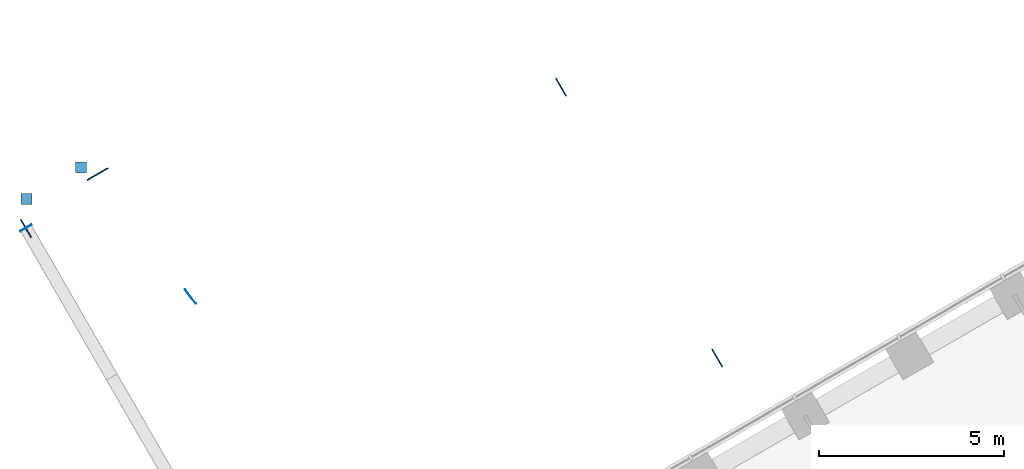
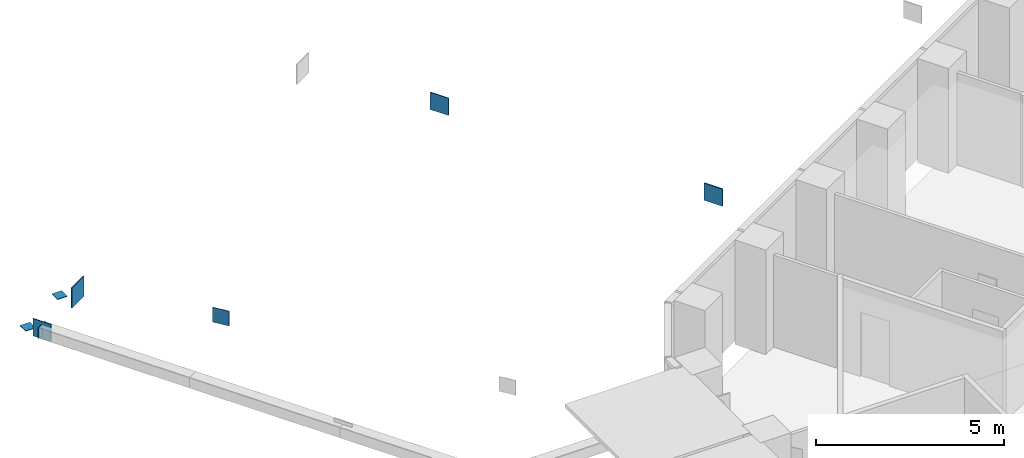
# One storey, part 17 of 21: 8 discrete accessories.
"""IFC4 building model written with IfcOpenShell, lengths in metres."""

from ifc_helpers import new_model, si_unit, direction, frame, origin, origin_2d, place, context, subcontext, project, spatial, rectangle, extrude, material, layer, layer_set, type_object, element, save


model = new_model("IFC4")

# Units and contexts
model_context = context("Model", 3, precision=1e-05, world=origin(), true_north=direction((0.0, 1.0)))
body_context = subcontext(model_context, "Body", "Model", "MODEL_VIEW")
ifc_project = project(units=[si_unit("LENGTHUNIT", "METRE"), si_unit("AREAUNIT", "SQUARE_METRE"), si_unit("VOLUMEUNIT", "CUBIC_METRE"), si_unit("PLANEANGLEUNIT", "RADIAN"), si_unit("MASSUNIT", "GRAM", prefix="KILO")], contexts=[model_context])

# Site, building, storey
site_placement = place(None, origin())
site = spatial("IfcSite", under=ifc_project, at=site_placement, CompositionType="ELEMENT")
building_placement = place(site_placement, origin())
building = spatial("IfcBuilding", under=site, at=building_placement, Name="Ayvan Gate Tower", CompositionType="ELEMENT")
storey_placement = place(building_placement, frame((0.0, 0.0, 183.300048828125)))
storey = spatial("IfcBuildingStorey", under=building, at=storey_placement, Name="L49", CompositionType="ELEMENT", Elevation=183.300048828125)

# Discrete accessories
ifc_material = material(Name="Steel S460ML", Category="steel")
ifc_layer_1 = layer(ifc_material, 0.02001953125)
ifc_layer_set_1 = layer_set([ifc_layer_1], Name="Steel S460ML")
discrete_accessory_type_1 = type_object("IfcDiscreteAccessoryType", Name="Gusset plate 20 mm", PredefinedType="BRACKET", material=ifc_layer_set_1)
discrete_accessory_1_placement = place(storey_placement, frame((-27.092041015625, 18.158447265625, 2.43505859375), z_axis=(0.0, 0.0, 1.0), x_axis=(-0.604022020427, 0.796967627221, 0.0)))
element("IfcDiscreteAccessory", 1, at=discrete_accessory_1_placement, inside=storey, type_object=discrete_accessory_type_1, Name="Gusset plate SBT4-4-D-7", PredefinedType="BRACKET", context=body_context, shape_type="SweptSolid", body=[
    extrude(rectangle(XDim=0.47998046875, YDim=0.02001953125, at=origin_2d()), origin(), (0.0, 0.0, 1.0), 0.47998046875),
])
ifc_layer_2 = layer(ifc_material, 0.030029296875)
ifc_layer_set_2 = layer_set([ifc_layer_2], Name="Steel S460ML")
discrete_accessory_type_2 = type_object("IfcDiscreteAccessoryType", Name="Gusset plate 30 mm", PredefinedType="BRACKET", material=ifc_layer_set_2)
for number, where, z_axis, x_axis, name in (
    (2, (-12.87890625, 16.506591796875, 2.39501953125), (0.0, 0.0, 1.0), (-0.5, 0.866025403784, 0.0), "Gusset plate SBT4-3-D-3"),
    (3, (-17.09619140625, 23.811279296875, 2.39501953125), (0.0, 0.0, 1.0), (-0.5, 0.866025403784, 0.0), "Gusset plate SBT4-3-D-5"),
    (4, (-31.52978515625, 20.001220703125, 2.39501953125), (0.0, 0.0, 1.0), (-0.5, 0.866025403784, 0.0), "Gusset plate SBX4-A-D-4"),
):
    element("IfcDiscreteAccessory", number, at=place(storey_placement, frame(where, z_axis=z_axis, x_axis=x_axis)), inside=storey, type_object=discrete_accessory_type_2, Name=name, PredefinedType="BRACKET", context=body_context, shape_type="SweptSolid", body=[
        extrude(rectangle(XDim=0.56005859375, YDim=0.030029296875, at=origin_2d()), origin(), (0.0, 0.0, 1.0), 0.56005859375),
    ])
ifc_layer_3 = layer(ifc_material, 0.034912109375)
ifc_layer_set_3 = layer_set([ifc_layer_3], Name="Steel S460ML")
discrete_accessory_type_3 = type_object("IfcDiscreteAccessoryType", Name="Gusset plate 35 mm", PredefinedType="BRACKET", material=ifc_layer_set_3)
discrete_accessory_2_placement = place(storey_placement, frame((-29.596923828125, 21.463623046875, 2.02490234375), z_axis=(0.0, 0.0, 1.0), x_axis=(0.866025403784, 0.5, 0.0)))
element("IfcDiscreteAccessory", 5, at=discrete_accessory_2_placement, inside=storey, type_object=discrete_accessory_type_3, Name="Gusset plate EXO-B4-D3B", PredefinedType="BRACKET", context=body_context, shape_type="SweptSolid", body=[
    extrude(rectangle(XDim=0.650146484375, YDim=0.034912109375, at=origin_2d()), origin(), (0.0, 0.0, 1.0), 0.650146484375),
])
ifc_layer_4 = layer(ifc_material, 0.02001953125)
ifc_layer_set_4 = layer_set([ifc_layer_4], Name="Steel S460ML")
discrete_accessory_type_4 = type_object("IfcDiscreteAccessoryType", Name="Sky bar end cap plate", PredefinedType="BRACKET", material=ifc_layer_set_4)
discrete_accessory_3_placement = place(storey_placement, frame((-31.534912109375, 20.010009765625, 2.5), z_axis=(0.0, 0.0, 1.0), x_axis=(-0.5, 0.866025403784, 0.0)))
element("IfcDiscreteAccessory", 6, at=discrete_accessory_3_placement, inside=storey, type_object=discrete_accessory_type_4, Name="End cap SBX4-A-BC-4:EC", PredefinedType="BRACKET", context=body_context, shape_type="SweptSolid", body=[
    extrude(rectangle(XDim=0.02001953125, YDim=0.35009765625, at=origin_2d()), origin(), (0.0, 0.0, 1.0), 0.35009765625),
])
for number, where, z_axis, x_axis, name in (
    (7, (-31.51904296875, 20.79248046875, 2.280029296875), (0.0, 0.0, 1.0), (1.0, 0.0, 0.0), "End cap SBX4-C-P-1:EC0"),
    (8, (-30.046875, 21.642578125, 2.280029296875), (0.0, 0.0, 1.0), (1.0, 0.0, 0.0), "End cap SBX4-C-P-2:EC0"),
):
    element("IfcDiscreteAccessory", number, at=place(storey_placement, frame(where, z_axis=z_axis, x_axis=x_axis)), inside=storey, type_object=discrete_accessory_type_4, Name=name, PredefinedType="BRACKET", context=body_context, shape_type="SweptSolid", body=[
        extrude(rectangle(XDim=0.300048828125, YDim=0.300048828125, at=origin_2d()), origin(), (0.0, 0.0, 1.0), 0.02001953125),
    ])

save(model, "model.ifc")
